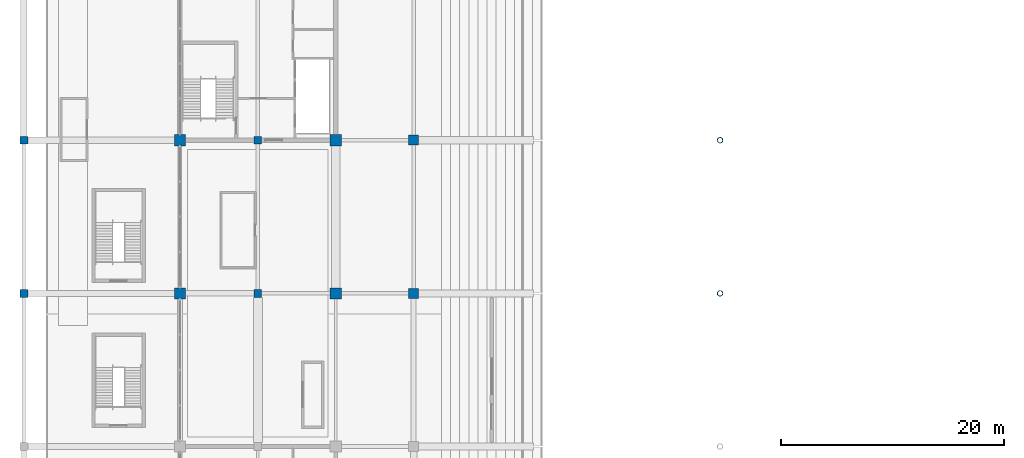
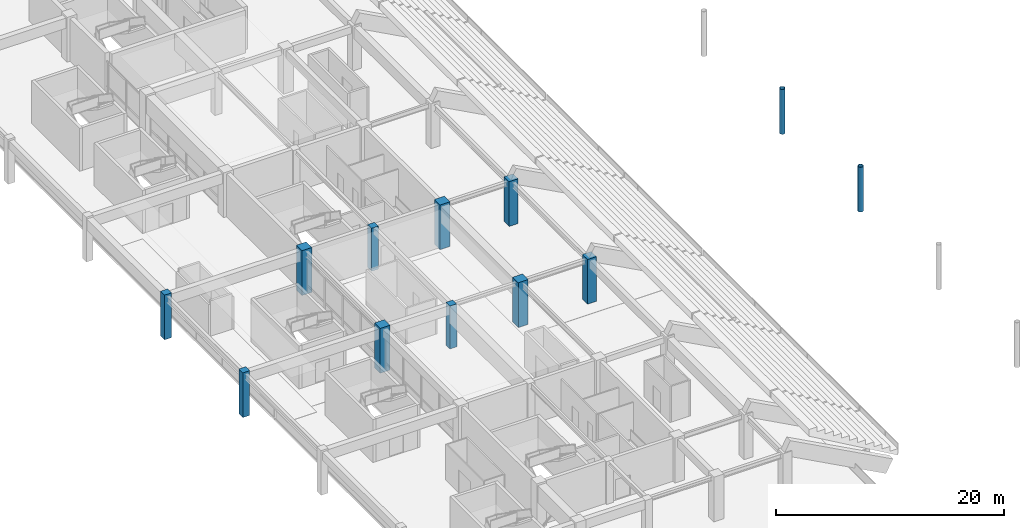
# One storey, part 4 of 94: 12 columns.
"""IFC4 building model written with IfcOpenShell, lengths in metres."""

import ifcopenshell
import ifcopenshell.guid

model = None  # the IFC model being written
_history = None  # IfcOwnerHistory: only IFC2X3 demands one
_inside = {}  # id of a spatial element -> (the spatial element, [elements in it])
_under = {}  # id of a project, library or spatial element -> (it, [spatial elements below it])
_declared = {}  # id of a project -> (the project, [libraries it declares])
_typed = {}  # id of a type object -> (the type object, [elements of that type])
_made_of = {}  # id of a material, layer set ... -> (it, [elements and type objects made of it])


def new_model(schema):
    """Start an empty IFC model of exactly this schema.

    Asked for "IFC4X3", IfcOpenShell would pick the latest addendum, in which some entities
    have other attributes; the version numbers below select the first issue.
    IFC2X3 requires an IfcOwnerHistory on every rooted entity: one is made here for all.
    """
    global model, _history
    if schema == "IFC4X3":
        model = ifcopenshell.file(schema_version=(4, 3, 0, 0))
    else:
        model = ifcopenshell.file(schema=schema)
    _inside.clear()
    _under.clear()
    _declared.clear()
    _typed.clear()
    _made_of.clear()
    _history = None
    if model.schema == "IFC2X3":
        org = make("IfcOrganization", Name="unknown")
        user = make(
            "IfcPersonAndOrganization",
            ThePerson=make("IfcPerson", FamilyName="unknown"),
            TheOrganization=org,
        )
        app = make(
            "IfcApplication",
            ApplicationDeveloper=org,
            Version="unknown",
            ApplicationFullName="unknown",
            ApplicationIdentifier="unknown",
        )
        _history = make(
            "IfcOwnerHistory",
            OwningUser=user,
            OwningApplication=app,
            ChangeAction="ADDED",
            CreationDate=0,
        )
    return model


def make(cls, **values):
    """One entity of the class cls with the attributes given. An attribute that is None is left unset."""
    return model.create_entity(
        cls, **{name: value for name, value in values.items() if value is not None}
    )


def rooted(cls, **values):
    """An entity with a GlobalId (a new one), such as an element, a storey or a relation."""
    return make(cls, GlobalId=ifcopenshell.guid.new(), OwnerHistory=_history, **values)


def si_unit(unit_type, name, prefix=None):
    """IfcSIUnit, for example si_unit("LENGTHUNIT", "METRE", prefix="MILLI")."""
    return make("IfcSIUnit", UnitType=unit_type, Prefix=prefix, Name=name)


def assignment(units):
    """IfcUnitAssignment: the units of a project."""
    return None if units is None else make("IfcUnitAssignment", Units=units)


def point(xyz):
    """IfcCartesianPoint."""
    return None if xyz is None else make("IfcCartesianPoint", Coordinates=xyz)


def direction(xyz):
    """IfcDirection."""
    return None if xyz is None else make("IfcDirection", DirectionRatios=xyz)


def frame(location, z_axis=None, x_axis=None):
    """IfcAxis2Placement3D, a coordinate frame: its origin and axes. An axis left out is left unset."""
    return make(
        "IfcAxis2Placement3D",
        Location=point(location),
        Axis=direction(z_axis),
        RefDirection=direction(x_axis),
    )


def frame_2d(location, x_axis=None):
    """IfcAxis2Placement2D, a coordinate frame in the plane: its origin and x axis."""
    return make(
        "IfcAxis2Placement2D", Location=point(location), RefDirection=direction(x_axis)
    )


def origin():
    """The frame at (0, 0, 0) with its axes left unset."""
    return frame((0.0, 0.0, 0.0))


def origin_2d():
    """The frame at (0, 0) in the plane with its x axis left unset."""
    return frame_2d((0.0, 0.0))


def place(relative_to, where):
    """IfcLocalPlacement: puts the frame where relative to a parent placement (None: the world)."""
    return make(
        "IfcLocalPlacement", PlacementRelTo=relative_to, RelativePlacement=where
    )


def context(
    kind, dimensions, precision=None, world=None, true_north=None, identifier=None
):
    """IfcGeometricRepresentationContext, for example the 3D "Model" context."""
    return make(
        "IfcGeometricRepresentationContext",
        ContextIdentifier=identifier,
        ContextType=kind,
        CoordinateSpaceDimension=dimensions,
        Precision=precision,
        WorldCoordinateSystem=world,
        TrueNorth=true_north,
    )


def subcontext(parent, identifier, kind, view, scale=None):
    """IfcGeometricRepresentationSubContext, for example "Body" below "Model"."""
    return make(
        "IfcGeometricRepresentationSubContext",
        ContextIdentifier=identifier,
        ContextType=kind,
        ParentContext=parent,
        TargetScale=scale,
        TargetView=view,
    )


def project(units=None, contexts=None):
    """IfcProject with its units and contexts."""
    return rooted(
        "IfcProject",
        Name="project",
        RepresentationContexts=contexts,
        UnitsInContext=assignment(units),
    )


def spatial(cls, under=None, at=None, **own):
    """A site, building, storey or space (cls), placed at a placement, below another one or the project."""
    s = rooted(cls, ObjectPlacement=at, **own)
    if under is not None:
        _under.setdefault(under.id(), (under, []))[1].append(s)
    return s


def profile(cls, at=None, kind="AREA", **sizes):
    """A parametric profile (cls). Its sizes go by their IFC names, for example OverallWidth=200.0."""
    return make(cls, ProfileType=kind, Position=at, **sizes)


def rectangle(**sizes):
    """IfcRectangleProfileDef."""
    return profile("IfcRectangleProfileDef", **sizes)


def hollow_circle(**sizes):
    """IfcCircleHollowProfileDef."""
    return profile("IfcCircleHollowProfileDef", **sizes)


def extrude(swept, where, along, depth):
    """IfcExtrudedAreaSolid: the profile swept, set in the frame where, extruded along a direction by depth."""
    return make(
        "IfcExtrudedAreaSolid",
        SweptArea=swept,
        Position=where,
        ExtrudedDirection=direction(along),
        Depth=depth,
    )


def shape(context_of_items, identifier, shape_type, items):
    """IfcShapeRepresentation: the items that make up one representation, for example the "Body"."""
    return make(
        "IfcShapeRepresentation",
        ContextOfItems=context_of_items,
        RepresentationIdentifier=identifier,
        RepresentationType=shape_type,
        Items=items,
    )


def material(Name=None, Category=None):
    """IfcMaterial."""
    return make("IfcMaterial", Name=Name, Category=Category)


def material_profile(
    of_material, cross_section, Name=None, Category=None, Priority=None
):
    """IfcMaterialProfile: a cross section and its material."""
    return make(
        "IfcMaterialProfile",
        Name=Name,
        Material=of_material,
        Profile=cross_section,
        Priority=Priority,
        Category=Category,
    )


def profile_set(profiles, Name=None, composite=None):
    """IfcMaterialProfileSet."""
    return make(
        "IfcMaterialProfileSet",
        Name=Name,
        MaterialProfiles=profiles,
        CompositeProfile=composite,
    )


def made_of(thing, what):
    """Note that an element or type object is made of a material, layer set ...; save() writes the relation."""
    if what is not None:
        _made_of.setdefault(what.id(), (what, []))[1].append(thing)
    return thing


def type_object(cls, material=None, **own):
    """A type object (cls), such as IfcWallType, which elements share."""
    return made_of(rooted(cls, **own), material)


def element(
    cls,
    number,
    at=None,
    inside=None,
    cuts=None,
    type_object=None,
    material=None,
    context=None,
    identifier="Body",
    shape_type=None,
    held_by="IfcProductDefinitionShape",
    body=None,
    shapes=None,
    **own,
):
    """One element of the class cls, such as IfcWall. Its Tag is "e" and its number.

    at: its placement. inside: the storey or other place that contains it. cuts: it is an
    opening in that element (IfcRelVoidsElement). A single representation is given by context,
    identifier, shape_type and body (its items); several are given by shapes. held_by: the class
    of the entity that holds the representations. save() writes the other relations.
    """
    e = rooted(cls, Tag="e%d" % number, ObjectPlacement=at, **own)
    if body is not None:
        shapes = [shape(context, identifier, shape_type, body)]
    if shapes is not None:
        e.Representation = make(held_by, Representations=shapes)
    if inside is not None:
        _inside.setdefault(inside.id(), (inside, []))[1].append(e)
    if cuts is not None:
        rooted(
            "IfcRelVoidsElement", RelatingBuildingElement=cuts, RelatedOpeningElement=e
        )
    if type_object is not None:
        _typed.setdefault(type_object.id(), (type_object, []))[1].append(e)
    return made_of(e, material)


def aggregate(whole, parts):
    """IfcRelAggregates: a whole, such as a stair, and the parts it consists of."""
    return rooted("IfcRelAggregates", RelatingObject=whole, RelatedObjects=parts)


def save(model, path):
    """Write the relations noted so far, then the file.

    IfcRelAggregates (storeys below a building ...), IfcRelContainedInSpatialStructure (elements
    in a storey), IfcRelDefinesByType, IfcRelAssociatesMaterial and IfcRelDeclares: one each for
    every whole, place, type object, material and project.
    """
    for whole, parts in _under.values():
        aggregate(whole, parts)
    for where, things in _inside.values():
        rooted(
            "IfcRelContainedInSpatialStructure",
            RelatedElements=things,
            RelatingStructure=where,
        )
    for kind, things in _typed.values():
        rooted("IfcRelDefinesByType", RelatedObjects=things, RelatingType=kind)
    for what, things in _made_of.values():
        rooted("IfcRelAssociatesMaterial", RelatedObjects=things, RelatingMaterial=what)
    for by, libraries in _declared.values():
        rooted("IfcRelDeclares", RelatingContext=by, RelatedDefinitions=libraries)
    model.write(path)


model = new_model("IFC4")

# Units and contexts
model_context = context("Model", 3, precision=1e-05, world=origin(), true_north=direction((0.0, 1.0)))
body_context = subcontext(model_context, "Body", "Model", "MODEL_VIEW")
ifc_project = project(units=[si_unit("LENGTHUNIT", "METRE"), si_unit("AREAUNIT", "SQUARE_METRE"), si_unit("VOLUMEUNIT", "CUBIC_METRE"), si_unit("PLANEANGLEUNIT", "RADIAN"), si_unit("MASSUNIT", "GRAM", prefix="KILO")], contexts=[model_context])

# Site, building, storey
site_placement = place(None, origin())
site = spatial("IfcSite", under=ifc_project, at=site_placement, CompositionType="ELEMENT")
building_placement = place(site_placement, origin())
building = spatial("IfcBuilding", under=site, at=building_placement, Name="Linyun Crest Stadium", CompositionType="ELEMENT")
storey_placement = place(building_placement, frame((0.0, 0.0, 16.199951171875)))
storey = spatial("IfcBuildingStorey", under=building, at=storey_placement, Name="L04", CompositionType="ELEMENT", Elevation=16.199951171875)

# Columns
ifc_material_1 = material(Name="Concrete C50", Category="concrete")
ifc_material_profile_1 = material_profile(ifc_material_1, rectangle(XDim=0.699951171875, YDim=0.699951171875, at=origin_2d()), Name="RC 700x700")
ifc_profile_set_1 = profile_set([ifc_material_profile_1], Name="Concrete C50")
column_type_1 = type_object("IfcColumnType", Name="C02", PredefinedType="COLUMN", material=ifc_profile_set_1)
for number, where, z_axis, x_axis, name in (
    (1, (-98.0, -11.625, 0.0), (0.0, 0.0, 1.0), (1.0, 0.0, 0.0), "Column C02 L04 23"),
    (2, (-98.0, 2.125, 0.0), (0.0, 0.0, 1.0), (1.0, 0.0, 0.0), "Column C02 L04 29"),
):
    element("IfcColumn", number, at=place(storey_placement, frame(where, z_axis=z_axis, x_axis=x_axis)), inside=storey, type_object=column_type_1, Name=name, PredefinedType="COLUMN", context=body_context, shape_type="SweptSolid", body=[
        extrude(rectangle(XDim=0.699951171875, YDim=0.699951171875, at=origin_2d()), origin(), (0.0, 0.0, 1.0), 4.798095703125),
    ])
for number, where, z_axis, x_axis, name in (
    (3, (-77.0, -11.625, 0.0), (0.0, 0.0, 1.0), (1.0, 0.0, 0.0), "Column C02 L04 124"),
    (4, (-77.0, 2.125, 0.0), (0.0, 0.0, 1.0), (1.0, 0.0, 0.0), "Column C02 L04 129"),
):
    element("IfcColumn", number, at=place(storey_placement, frame(where, z_axis=z_axis, x_axis=x_axis)), inside=storey, type_object=column_type_1, Name=name, PredefinedType="COLUMN", context=body_context, shape_type="SweptSolid", body=[
        extrude(rectangle(XDim=0.699951171875, YDim=0.699951171875, at=origin_2d()), origin(), (0.0, 0.0, 1.0), 4.60009765625),
    ])
ifc_material_2 = material(Name="Concrete C50", Category="concrete")
ifc_material_profile_2 = material_profile(ifc_material_2, rectangle(XDim=0.89990234375, YDim=0.89990234375, at=origin_2d()), Name="RC 900x900")
ifc_profile_set_2 = profile_set([ifc_material_profile_2], Name="Concrete C50")
column_type_2 = type_object("IfcColumnType", Name="C04", PredefinedType="COLUMN", material=ifc_profile_set_2)
for number, where, z_axis, x_axis, name in (
    (5, (-63.0, -11.625, 0.0), (0.0, 0.0, 1.0), (1.0, 0.0, 0.0), "Column C04 L04 220"),
    (6, (-63.0, 2.125, 0.0), (0.0, 0.0, 1.0), (1.0, 0.0, 0.0), "Column C04 L04 225"),
):
    element("IfcColumn", number, at=place(storey_placement, frame(where, z_axis=z_axis, x_axis=x_axis)), inside=storey, type_object=column_type_2, Name=name, PredefinedType="COLUMN", context=body_context, shape_type="SweptSolid", body=[
        extrude(rectangle(XDim=0.89990234375, YDim=0.89990234375, at=origin_2d()), origin(), (0.0, 0.0, 1.0), 4.800048828125),
    ])
ifc_material_3 = material(Name="Concrete C50", Category="concrete")
ifc_material_profile_3 = material_profile(ifc_material_3, rectangle(XDim=1.0, YDim=1.0, at=origin_2d()), Name="RC 1000x1000")
ifc_profile_set_3 = profile_set([ifc_material_profile_3], Name="Concrete C50")
column_type_3 = type_object("IfcColumnType", Name="C05", PredefinedType="COLUMN", material=ifc_profile_set_3)
for number, where, z_axis, x_axis, name in (
    (7, (-84.0, -11.625, 0.0), (0.0, 0.0, 1.0), (1.0, 0.0, 0.0), "Column C05 L04 74"),
    (8, (-84.0, 2.125, 0.0), (0.0, 0.0, 1.0), (1.0, 0.0, 0.0), "Column C05 L04 81"),
    (9, (-70.0, -11.625, 0.0), (0.0, 0.0, 1.0), (1.0, 0.0, 0.0), "Column C05 L04 170"),
    (10, (-70.0, 2.125, 0.0), (0.0, 0.0, 1.0), (1.0, 0.0, 0.0), "Column C05 L04 177"),
):
    element("IfcColumn", number, at=place(storey_placement, frame(where, z_axis=z_axis, x_axis=x_axis)), inside=storey, type_object=column_type_3, Name=name, PredefinedType="COLUMN", context=body_context, shape_type="SweptSolid", body=[
        extrude(rectangle(XDim=1.0, YDim=1.0, at=origin_2d()), origin(), (0.0, 0.0, 1.0), 4.798095703125),
    ])
ifc_material_4 = material(Name="Steel Q355C", Category="steel")
ifc_material_profile_4 = material_profile(ifc_material_4, hollow_circle(Radius=0.25390625, WallThickness=0.02490234375, at=origin_2d()), Name="CHS 508x25")
ifc_profile_set_4 = profile_set([ifc_material_profile_4], Name="Steel Q355C")
column_type_4 = type_object("IfcColumnType", Name="SC05", PredefinedType="COLUMN", material=ifc_profile_set_4)
for number, where, z_axis, x_axis, name in (
    (11, (-35.5, -11.625, 0.0), (0.0, 0.0, 1.0), (1.0, 0.0, 0.0), "Arch colonnade column SC05 L04 8"),
    (12, (-35.5, 2.125, 0.0), (0.0, 0.0, 1.0), (1.0, 0.0, 0.0), "Arch colonnade column SC05 L04 10"),
):
    element("IfcColumn", number, at=place(storey_placement, frame(where, z_axis=z_axis, x_axis=x_axis)), inside=storey, type_object=column_type_4, Name=name, PredefinedType="COLUMN", context=body_context, shape_type="SweptSolid", body=[
        extrude(hollow_circle(Radius=0.25390625, WallThickness=0.02490234375, at=origin_2d()), origin(), (0.0, 0.0, 1.0), 4.800048828125),
    ])

save(model, "model.ifc")
